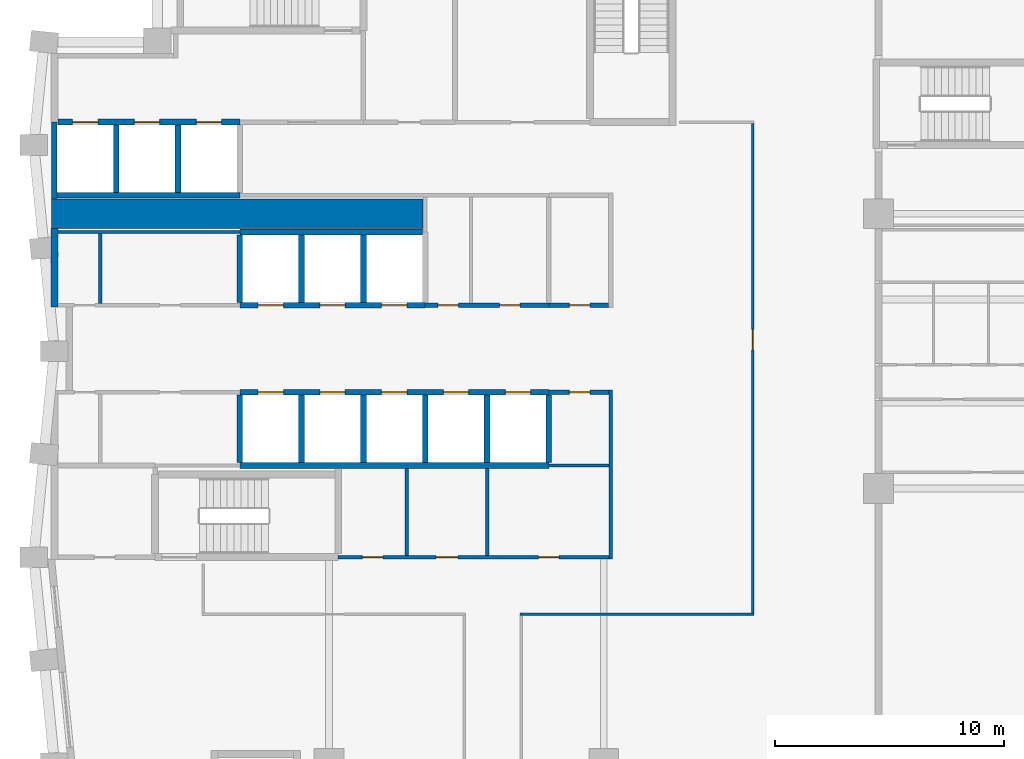
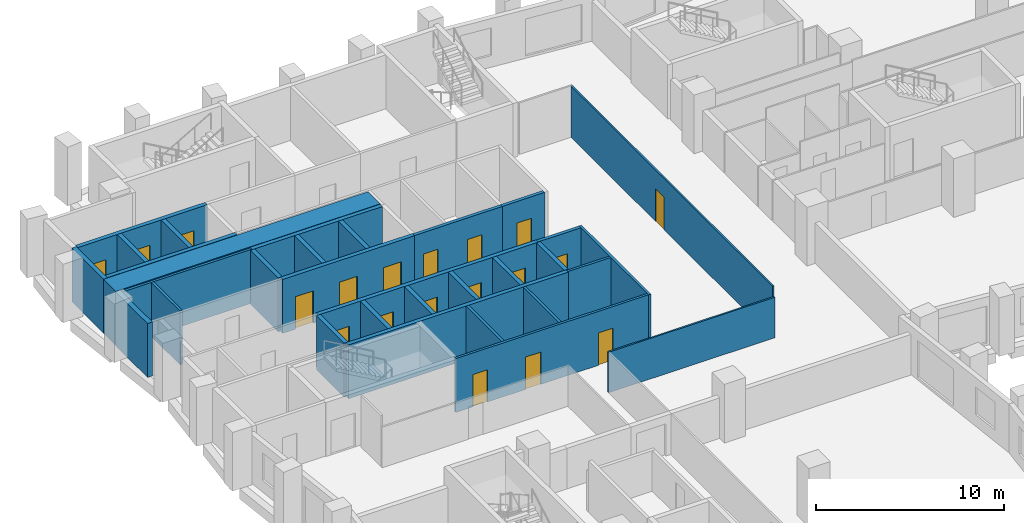
# One storey, part 5 of 11: 32 walls, 19 doors, 19 openings.
"""IFC4 building model written with IfcOpenShell, lengths in metres."""

from ifc_helpers import new_model, si_unit, direction, frame, frame_2d, origin, place, context, subcontext, project, spatial, rectangle, extrude, material, layer, layer_set, type_object, element, fill, save


model = new_model("IFC4")

# Units and contexts
model_context = context("Model", 3, precision=1e-05, world=origin(), true_north=direction((0.0, 1.0)))
body_context = subcontext(model_context, "Body", "Model", "MODEL_VIEW")
ifc_project = project(units=[si_unit("LENGTHUNIT", "METRE"), si_unit("AREAUNIT", "SQUARE_METRE"), si_unit("VOLUMEUNIT", "CUBIC_METRE"), si_unit("PLANEANGLEUNIT", "RADIAN"), si_unit("MASSUNIT", "GRAM", prefix="KILO")], contexts=[model_context])

# Site, building, storey
site_placement = place(None, origin())
site = spatial("IfcSite", under=ifc_project, at=site_placement, CompositionType="ELEMENT")
building_placement = place(site_placement, origin())
building = spatial("IfcBuilding", under=site, at=building_placement, Name="Brondeck Convention Tower", CompositionType="ELEMENT")
storey_placement = place(building_placement, frame((0.0, 0.0, 130.300048828125)))
storey = spatial("IfcBuildingStorey", under=building, at=storey_placement, Name="L31", CompositionType="ELEMENT", Elevation=130.300048828125)

# Wall, openings, doors
ifc_material_1 = material(Name="Concrete C70/85", Category="concrete")
ifc_layer_1 = layer(ifc_material_1, 0.14990234375)
ifc_layer_set_1 = layer_set([ifc_layer_1], Name="Core beam-seat wall 150 Concrete C70/85")
wall_type_1 = type_object("IfcWallType", Name="Core beam-seat wall 150 Concrete C70/85", PredefinedType="SHEAR", material=ifc_layer_set_1)
wall_1_placement = place(storey_placement, frame((12.39990234375, 36.0, 0.0), z_axis=(0.0, 0.0, 1.0), x_axis=(1.0, 0.0, 0.0)))
wall_1 = element("IfcWall", 1, at=wall_1_placement, inside=storey, type_object=wall_type_1, Name="L31 core wall", PredefinedType="SHEAR", context=body_context, shape_type="SweptSolid", body=[
    extrude(rectangle(XDim=11.8251953125, YDim=0.14990234375, at=frame_2d((5.91259765625, 0.0))), origin(), (0.0, 0.0, 1.0), 3.5),
])
opening_1_placement = place(wall_1_placement, frame((1.050048828125, 0.0, 0.0)))
opening_1 = element("IfcOpeningElement", 2, at=opening_1_placement, cuts=wall_1, Name="Opening C18-03", PredefinedType="OPENING", context=body_context, shape_type="SweptSolid", body=[
    extrude(rectangle(XDim=0.89990234375, YDim=2.10009765625, at=frame_2d((0.449951171875, 1.050048828125))), frame((0.0, 0.0849609375, 0.0), z_axis=(0.0, -1.0, 0.0), x_axis=(1.0, 0.0, 0.0)), (0.0, 0.0, 1.0), 0.169921875),
])
opening_2_placement = place(wall_1_placement, frame((4.27490234375, 0.0, 0.0)))
opening_2 = element("IfcOpeningElement", 3, at=opening_2_placement, cuts=wall_1, Name="Opening C18-04", PredefinedType="OPENING", context=body_context, shape_type="SweptSolid", body=[
    extrude(rectangle(XDim=0.949951171875, YDim=2.10009765625, at=frame_2d((0.47509765625, 1.050048828125))), frame((0.0, 0.0849609375, 0.0), z_axis=(0.0, -1.0, 0.0), x_axis=(1.0, 0.0, 0.0)), (0.0, 0.0, 1.0), 0.169921875),
])
opening_3_placement = place(wall_1_placement, frame((8.75, 0.0, 0.0)))
opening_3 = element("IfcOpeningElement", 4, at=opening_3_placement, cuts=wall_1, Name="Opening C18-05", PredefinedType="OPENING", context=body_context, shape_type="SweptSolid", body=[
    extrude(rectangle(XDim=0.89990234375, YDim=2.10009765625, at=frame_2d((0.449951171875, 1.050048828125))), frame((0.0, 0.0849609375, 0.0), z_axis=(0.0, -1.0, 0.0), x_axis=(1.0, 0.0, 0.0)), (0.0, 0.0, 1.0), 0.169921875),
])
ifc_material_2 = material(Name="Steel fire door", Category="steel")
door_type_1 = type_object("IfcDoorType", Name="Room door 900x2100 EI 60", OperationType="NOTDEFINED", PredefinedType="DOOR", material=ifc_material_2)
door_1_placement = place(opening_1_placement, origin())
door_1 = element("IfcDoor", 5, at=door_1_placement, inside=storey, type_object=door_type_1, Name="L31 Room door FR-1", OperationType="SINGLE_SWING_RIGHT", OverallHeight=2.10009765625, OverallWidth=0.89990234375, PredefinedType="DOOR", context=body_context, shape_type="SweptSolid", body=[
    extrude(rectangle(XDim=0.89990234375, YDim=2.10009765625, at=frame_2d((0.449951171875, 1.050048828125))), frame((0.0, 0.02490234375, 0.0), z_axis=(0.0, -1.0, 0.0), x_axis=(1.0, 0.0, 0.0)), (0.0, 0.0, 1.0), 0.050048828125),
])
fill(opening_1, door_1)
door_2_placement = place(opening_3_placement, origin())
door_2 = element("IfcDoor", 6, at=door_2_placement, inside=storey, type_object=door_type_1, Name="L31 Room door FR-3", OperationType="SINGLE_SWING_RIGHT", OverallHeight=2.10009765625, OverallWidth=0.89990234375, PredefinedType="DOOR", context=body_context, shape_type="SweptSolid", body=[
    extrude(rectangle(XDim=0.89990234375, YDim=2.10009765625, at=frame_2d((0.449951171875, 1.050048828125))), frame((0.0, 0.02490234375, 0.0), z_axis=(0.0, -1.0, 0.0), x_axis=(1.0, 0.0, 0.0)), (0.0, 0.0, 1.0), 0.050048828125),
])
fill(opening_3, door_2)
door_type_2 = type_object("IfcDoorType", Name="Room door 950x2100 EI 60", OperationType="NOTDEFINED", PredefinedType="DOOR", material=ifc_material_2)
door_3_placement = place(opening_2_placement, origin())
door_3 = element("IfcDoor", 7, at=door_3_placement, inside=storey, type_object=door_type_2, Name="L31 Room door FR-2", OperationType="SINGLE_SWING_LEFT", OverallHeight=2.10009765625, OverallWidth=0.949951171875, PredefinedType="DOOR", context=body_context, shape_type="SweptSolid", body=[
    extrude(rectangle(XDim=0.949951171875, YDim=2.10009765625, at=frame_2d((0.47509765625, 1.050048828125))), frame((0.0, 0.02490234375, 0.0), z_axis=(0.0, -1.0, 0.0), x_axis=(1.0, 0.0, 0.0)), (0.0, 0.0, 1.0), 0.050048828125),
])
fill(opening_2, door_3)

# Walls
ifc_layer_2 = layer(ifc_material_1, 0.300048828125)
ifc_layer_set_2 = layer_set([ifc_layer_2], Name="Core outer wall 300 Concrete C70/85")
wall_type_2 = type_object("IfcWallType", Name="Core outer wall 300 Concrete C70/85", PredefinedType="SHEAR", material=ifc_layer_set_2)
wall_2_placement = place(storey_placement, frame((0.0, 46.925048828125, 0.0), z_axis=(0.0, 0.0, 1.0), x_axis=(0.0, 1.0, 0.0)))
element("IfcWall", 8, at=wall_2_placement, inside=storey, type_object=wall_type_2, Name="L31 core wall", PredefinedType="SHEAR", context=body_context, shape_type="SweptSolid", body=[
    extrude(rectangle(XDim=3.425048828125, YDim=0.300048828125, at=frame_2d((1.71240234375, 0.0))), origin(), (0.0, 0.0, 1.0), 3.5),
])
ifc_material_3 = material(Name="Fire-rated gypsum board partition")
ifc_layer_3 = layer(ifc_material_3, 0.14990234375)
ifc_layer_set_3 = layer_set([ifc_layer_3], Name="Core partition 150 EI 60")
wall_type_3 = type_object("IfcWallType", Name="Core partition 150 EI 60", PredefinedType="PARTITIONING", material=ifc_layer_set_3)
wall_3_placement = place(storey_placement, frame((21.60009765625, 40.0, 0.0), z_axis=(0.0, 0.0, 1.0), x_axis=(1.0, 0.0, 0.0)))
element("IfcWall", 9, at=wall_3_placement, inside=storey, type_object=wall_type_3, Name="L31 core wall", PredefinedType="PARTITIONING", context=body_context, shape_type="SweptSolid", body=[
    extrude(rectangle(XDim=2.625, YDim=0.14990234375, at=frame_2d((1.3125, 0.0))), origin(), (0.0, 0.0, 1.0), 3.5),
])
wall_4_placement = place(storey_placement, frame((0.14990234375, 50.199951171875, 0.0), z_axis=(0.0, 0.0, 1.0), x_axis=(1.0, 0.0, 0.0)))
element("IfcWall", 10, at=wall_4_placement, inside=storey, type_object=wall_type_3, Name="L31 core wall", PredefinedType="PARTITIONING", context=body_context, shape_type="SweptSolid", body=[
    extrude(rectangle(XDim=7.9501953125, YDim=0.14990234375, at=frame_2d((3.97509765625, 0.0))), origin(), (0.0, 0.0, 1.0), 3.5),
])
wall_5_placement = place(storey_placement, frame((2.0, 47.074951171875, 0.0), z_axis=(0.0, 0.0, 1.0), x_axis=(0.0, 1.0, 0.0)))
element("IfcWall", 11, at=wall_5_placement, inside=storey, type_object=wall_type_3, Name="L31 core wall", PredefinedType="PARTITIONING", context=body_context, shape_type="SweptSolid", body=[
    extrude(rectangle(XDim=3.050048828125, YDim=0.14990234375, at=frame_2d((1.52490234375, 0.0))), origin(), (0.0, 0.0, 1.0), 3.5),
])
for number, where, z_axis, x_axis, name in (
    (12, (15.39990234375, 36.074951171875, 0.0), (0.0, 0.0, 1.0), (0.0, 1.0, 0.0), "L31 core wall"),
    (13, (18.89990234375, 36.074951171875, 0.0), (0.0, 0.0, 1.0), (0.0, 1.0, 0.0), "L31 core wall"),
):
    element("IfcWall", number, at=place(storey_placement, frame(where, z_axis=z_axis, x_axis=x_axis)), inside=storey, type_object=wall_type_3, Name=name, PredefinedType="PARTITIONING", context=body_context, shape_type="SweptSolid", body=[
        extrude(rectangle(XDim=3.800048828125, YDim=0.14990234375, at=frame_2d((1.89990234375, 0.0))), origin(), (0.0, 0.0, 1.0), 3.5),
    ])
wall_6_placement = place(storey_placement, frame((24.300048828125, 35.925048828125, 0.0), z_axis=(0.0, 0.0, 1.0), x_axis=(0.0, 1.0, 0.0)))
element("IfcWall", 14, at=wall_6_placement, inside=storey, type_object=wall_type_3, Name="L31 core wall", PredefinedType="PARTITIONING", context=body_context, shape_type="SweptSolid", body=[
    extrude(rectangle(XDim=7.375, YDim=0.14990234375, at=frame_2d((3.6875, 0.0))), origin(), (0.0, 0.0, 1.0), 3.5),
])
ifc_layer_4 = layer(ifc_material_1, 1.300048828125)
ifc_layer_set_4 = layer_set([ifc_layer_4], Name="Core shear wall 1300 Concrete C70/85")
wall_type_4 = type_object("IfcWallType", Name="Core shear wall 1300 Concrete C70/85", PredefinedType="SHEAR", material=ifc_layer_set_4)
wall_7_placement = place(storey_placement, frame((-0.125, 51.0, 0.0), z_axis=(0.0, 0.0, 1.0), x_axis=(1.0, 0.0, 0.0)))
element("IfcWall", 15, at=wall_7_placement, inside=storey, type_object=wall_type_4, Name="L31 core wall", PredefinedType="SHEAR", context=body_context, shape_type="SweptSolid", body=[
    extrude(rectangle(XDim=16.22509765625, YDim=1.300048828125, at=frame_2d((8.112548828125, 0.0))), origin(), (0.0, 0.0, 1.0), 3.5),
])

# Wall, opening, door
ifc_layer_5 = layer(ifc_material_3, 0.199951171875)
ifc_layer_set_5 = layer_set([ifc_layer_5], Name="Lift lobby wall 200 EI 60")
wall_type_5 = type_object("IfcWallType", Name="Lift lobby wall 200 EI 60", PredefinedType="PARTITIONING", material=ifc_layer_set_5)
wall_8_placement = place(storey_placement, frame((21.60009765625, 43.199951171875, 0.0), z_axis=(0.0, 0.0, 1.0), x_axis=(1.0, 0.0, 0.0)))
wall_8 = element("IfcWall", 16, at=wall_8_placement, inside=storey, type_object=wall_type_5, Name="L31 core wall", PredefinedType="PARTITIONING", context=body_context, shape_type="SweptSolid", body=[
    extrude(rectangle(XDim=2.625, YDim=0.199951171875, at=frame_2d((1.3125, 0.0))), origin(), (0.0, 0.0, 1.0), 3.5),
])
opening_4_placement = place(wall_8_placement, frame((0.89990234375, 0.0, 0.0)))
opening_4 = element("IfcOpeningElement", 17, at=opening_4_placement, cuts=wall_8, Name="Opening C18-13", PredefinedType="OPENING", context=body_context, shape_type="SweptSolid", body=[
    extrude(rectangle(XDim=0.89990234375, YDim=2.10009765625, at=frame_2d((0.449951171875, 1.050048828125))), frame((0.0, 0.10986328125, 0.0), z_axis=(0.0, -1.0, 0.0), x_axis=(1.0, 0.0, 0.0)), (0.0, 0.0, 1.0), 0.219970703125),
])
door_4_placement = place(opening_4_placement, origin())
door_4 = element("IfcDoor", 18, at=door_4_placement, inside=storey, type_object=door_type_1, Name="L31 Room door FZ-S-21.6-1", OperationType="SINGLE_SWING_RIGHT", OverallHeight=2.10009765625, OverallWidth=0.89990234375, PredefinedType="DOOR", context=body_context, shape_type="SweptSolid", body=[
    extrude(rectangle(XDim=0.89990234375, YDim=2.10009765625, at=frame_2d((0.449951171875, 1.050048828125))), frame((0.0, 0.02490234375, 0.0), z_axis=(0.0, -1.0, 0.0), x_axis=(1.0, 0.0, 0.0)), (0.0, 0.0, 1.0), 0.050048828125),
])
fill(opening_4, door_4)

# Wall, openings, doors
wall_9_placement = place(storey_placement, frame((16.199951171875, 47.0, 0.0), z_axis=(0.0, 0.0, 1.0), x_axis=(1.0, 0.0, 0.0)))
wall_9 = element("IfcWall", 19, at=wall_9_placement, inside=storey, type_object=wall_type_5, Name="L31 core wall", PredefinedType="PARTITIONING", context=body_context, shape_type="SweptSolid", body=[
    extrude(rectangle(XDim=5.400146484375, YDim=0.199951171875, at=frame_2d((2.7001953125, 0.0))), origin(), (0.0, 0.0, 1.0), 3.5),
])
opening_5_placement = place(wall_9_placement, frame((0.550048828125, 0.0, 0.0)))
opening_5 = element("IfcOpeningElement", 20, at=opening_5_placement, cuts=wall_9, Name="Opening C18-09", PredefinedType="OPENING", context=body_context, shape_type="SweptSolid", body=[
    extrude(rectangle(XDim=0.89990234375, YDim=2.10009765625, at=frame_2d((0.449951171875, 1.050048828125))), frame((0.0, 0.10986328125, 0.0), z_axis=(0.0, -1.0, 0.0), x_axis=(1.0, 0.0, 0.0)), (0.0, 0.0, 1.0), 0.219970703125),
])
opening_6_placement = place(wall_9_placement, frame((3.25, 0.0, 0.0)))
opening_6 = element("IfcOpeningElement", 21, at=opening_6_placement, cuts=wall_9, Name="Opening C18-10", PredefinedType="OPENING", context=body_context, shape_type="SweptSolid", body=[
    extrude(rectangle(XDim=0.89990234375, YDim=2.10009765625, at=frame_2d((0.449951171875, 1.050048828125))), frame((0.0, 0.10986328125, 0.0), z_axis=(0.0, -1.0, 0.0), x_axis=(1.0, 0.0, 0.0)), (0.0, 0.0, 1.0), 0.219970703125),
])
door_5_placement = place(opening_5_placement, origin())
door_5 = element("IfcDoor", 22, at=door_5_placement, inside=storey, type_object=door_type_1, Name="L31 Room door FZ-N-16.2-1", OperationType="SINGLE_SWING_LEFT", OverallHeight=2.10009765625, OverallWidth=0.89990234375, PredefinedType="DOOR", context=body_context, shape_type="SweptSolid", body=[
    extrude(rectangle(XDim=0.89990234375, YDim=2.10009765625, at=frame_2d((0.449951171875, 1.050048828125))), frame((0.0, 0.02490234375, 0.0), z_axis=(0.0, -1.0, 0.0), x_axis=(1.0, 0.0, 0.0)), (0.0, 0.0, 1.0), 0.050048828125),
])
fill(opening_5, door_5)
door_6_placement = place(opening_6_placement, origin())
door_6 = element("IfcDoor", 23, at=door_6_placement, inside=storey, type_object=door_type_1, Name="L31 Room door FZ-N-16.2-2", OperationType="SINGLE_SWING_RIGHT", OverallHeight=2.10009765625, OverallWidth=0.89990234375, PredefinedType="DOOR", context=body_context, shape_type="SweptSolid", body=[
    extrude(rectangle(XDim=0.89990234375, YDim=2.10009765625, at=frame_2d((0.449951171875, 1.050048828125))), frame((0.0, 0.02490234375, 0.0), z_axis=(0.0, -1.0, 0.0), x_axis=(1.0, 0.0, 0.0)), (0.0, 0.0, 1.0), 0.050048828125),
])
fill(opening_6, door_6)

# Wall
ifc_layer_6 = layer(ifc_material_1, 0.25)
ifc_layer_set_6 = layer_set([ifc_layer_6], Name="Lift shaft wall 250 Concrete C70/85")
wall_type_6 = type_object("IfcWallType", Name="Lift shaft wall 250 Concrete C70/85", PredefinedType="SHEAR", material=ifc_layer_set_6)
wall_10_placement = place(storey_placement, frame((8.10009765625, 40.0, 0.0), z_axis=(0.0, 0.0, 1.0), x_axis=(1.0, 0.0, 0.0)))
element("IfcWall", 24, at=wall_10_placement, inside=storey, type_object=wall_type_6, Name="L31 core wall", PredefinedType="SHEAR", context=body_context, shape_type="SweptSolid", body=[
    extrude(rectangle(XDim=13.5, YDim=0.25, at=frame_2d((6.75, 0.0))), origin(), (0.0, 0.0, 1.0), 3.5),
])

# Wall, openings, doors
wall_11_placement = place(storey_placement, frame((8.10009765625, 43.199951171875, 0.0), z_axis=(0.0, 0.0, 1.0), x_axis=(1.0, 0.0, 0.0)))
wall_11 = element("IfcWall", 25, at=wall_11_placement, inside=storey, type_object=wall_type_6, Name="L31 core wall", PredefinedType="SHEAR", context=body_context, shape_type="SweptSolid", body=[
    extrude(rectangle(XDim=13.5, YDim=0.25, at=frame_2d((6.75, 0.0))), origin(), (0.0, 0.0, 1.0), 3.5),
])
opening_7_placement = place(wall_11_placement, frame((0.800048828125, 0.0, 0.0)))
opening_7 = element("IfcOpeningElement", 26, at=opening_7_placement, cuts=wall_11, Name="Opening C18-26", PredefinedType="OPENING", context=body_context, shape_type="SweptSolid", body=[
    extrude(rectangle(XDim=1.10009765625, YDim=2.10009765625, at=frame_2d((0.550048828125, 1.050048828125))), frame((0.0, 0.135009765625, 0.0), z_axis=(0.0, -1.0, 0.0), x_axis=(1.0, 0.0, 0.0)), (0.0, 0.0, 1.0), 0.27001953125),
])
opening_8_placement = place(wall_11_placement, frame((3.5, 0.0, 0.0)))
opening_8 = element("IfcOpeningElement", 27, at=opening_8_placement, cuts=wall_11, Name="Opening C18-27", PredefinedType="OPENING", context=body_context, shape_type="SweptSolid", body=[
    extrude(rectangle(XDim=1.10009765625, YDim=2.10009765625, at=frame_2d((0.550048828125, 1.050048828125))), frame((0.0, 0.135009765625, 0.0), z_axis=(0.0, -1.0, 0.0), x_axis=(1.0, 0.0, 0.0)), (0.0, 0.0, 1.0), 0.27001953125),
])
opening_9_placement = place(wall_11_placement, frame((6.199951171875, 0.0, 0.0)))
opening_9 = element("IfcOpeningElement", 28, at=opening_9_placement, cuts=wall_11, Name="Opening C18-28", PredefinedType="OPENING", context=body_context, shape_type="SweptSolid", body=[
    extrude(rectangle(XDim=1.10009765625, YDim=2.10009765625, at=frame_2d((0.550048828125, 1.050048828125))), frame((0.0, 0.135009765625, 0.0), z_axis=(0.0, -1.0, 0.0), x_axis=(1.0, 0.0, 0.0)), (0.0, 0.0, 1.0), 0.27001953125),
])
opening_10_placement = place(wall_11_placement, frame((8.89990234375, 0.0, 0.0)))
opening_10 = element("IfcOpeningElement", 29, at=opening_10_placement, cuts=wall_11, Name="Opening C18-32", PredefinedType="OPENING", context=body_context, shape_type="SweptSolid", body=[
    extrude(rectangle(XDim=1.10009765625, YDim=2.10009765625, at=frame_2d((0.550048828125, 1.050048828125))), frame((0.0, 0.135009765625, 0.0), z_axis=(0.0, -1.0, 0.0), x_axis=(1.0, 0.0, 0.0)), (0.0, 0.0, 1.0), 0.27001953125),
])
opening_11_placement = place(wall_11_placement, frame((11.60009765625, 0.0, 0.0)))
opening_11 = element("IfcOpeningElement", 30, at=opening_11_placement, cuts=wall_11, Name="Opening C18-33", PredefinedType="OPENING", context=body_context, shape_type="SweptSolid", body=[
    extrude(rectangle(XDim=1.10009765625, YDim=2.10009765625, at=frame_2d((0.550048828125, 1.050048828125))), frame((0.0, 0.135009765625, 0.0), z_axis=(0.0, -1.0, 0.0), x_axis=(1.0, 0.0, 0.0)), (0.0, 0.0, 1.0), 0.27001953125),
])
ifc_material_4 = material(Name="Stainless steel lift door", Category="steel")
door_type_3 = type_object("IfcDoorType", Name="Lift landing door 1100x2100 EI 180", OperationType="DOUBLE_DOOR_SLIDING", PredefinedType="DOOR", material=ifc_material_4)
door_7_placement = place(opening_7_placement, origin())
door_7 = element("IfcDoor", 31, at=door_7_placement, inside=storey, type_object=door_type_3, Name="L31 Lift landing door LR1", OperationType="DOUBLE_DOOR_SLIDING", OverallHeight=2.10009765625, OverallWidth=1.10009765625, PredefinedType="DOOR", context=body_context, shape_type="SweptSolid", body=[
    extrude(rectangle(XDim=1.10009765625, YDim=2.10009765625, at=frame_2d((0.550048828125, 1.050048828125))), frame((0.0, 0.02490234375, 0.0), z_axis=(0.0, -1.0, 0.0), x_axis=(1.0, 0.0, 0.0)), (0.0, 0.0, 1.0), 0.050048828125),
])
fill(opening_7, door_7)
door_8_placement = place(opening_8_placement, origin())
door_8 = element("IfcDoor", 32, at=door_8_placement, inside=storey, type_object=door_type_3, Name="L31 Lift landing door LR2", OperationType="DOUBLE_DOOR_SLIDING", OverallHeight=2.10009765625, OverallWidth=1.10009765625, PredefinedType="DOOR", context=body_context, shape_type="SweptSolid", body=[
    extrude(rectangle(XDim=1.10009765625, YDim=2.10009765625, at=frame_2d((0.550048828125, 1.050048828125))), frame((0.0, 0.02490234375, 0.0), z_axis=(0.0, -1.0, 0.0), x_axis=(1.0, 0.0, 0.0)), (0.0, 0.0, 1.0), 0.050048828125),
])
fill(opening_8, door_8)
door_9_placement = place(opening_9_placement, origin())
door_9 = element("IfcDoor", 33, at=door_9_placement, inside=storey, type_object=door_type_3, Name="L31 Lift landing door LR3", OperationType="DOUBLE_DOOR_SLIDING", OverallHeight=2.10009765625, OverallWidth=1.10009765625, PredefinedType="DOOR", context=body_context, shape_type="SweptSolid", body=[
    extrude(rectangle(XDim=1.10009765625, YDim=2.10009765625, at=frame_2d((0.550048828125, 1.050048828125))), frame((0.0, 0.02490234375, 0.0), z_axis=(0.0, -1.0, 0.0), x_axis=(1.0, 0.0, 0.0)), (0.0, 0.0, 1.0), 0.050048828125),
])
fill(opening_9, door_9)
door_10_placement = place(opening_10_placement, origin())
door_10 = element("IfcDoor", 34, at=door_10_placement, inside=storey, type_object=door_type_3, Name="L31 Lift landing door SH1", OperationType="DOUBLE_DOOR_SLIDING", OverallHeight=2.10009765625, OverallWidth=1.10009765625, PredefinedType="DOOR", context=body_context, shape_type="SweptSolid", body=[
    extrude(rectangle(XDim=1.10009765625, YDim=2.10009765625, at=frame_2d((0.550048828125, 1.050048828125))), frame((0.0, 0.02490234375, 0.0), z_axis=(0.0, -1.0, 0.0), x_axis=(1.0, 0.0, 0.0)), (0.0, 0.0, 1.0), 0.050048828125),
])
fill(opening_10, door_10)
door_11_placement = place(opening_11_placement, origin())
door_11 = element("IfcDoor", 35, at=door_11_placement, inside=storey, type_object=door_type_3, Name="L31 Lift landing door SH2", OperationType="DOUBLE_DOOR_SLIDING", OverallHeight=2.10009765625, OverallWidth=1.10009765625, PredefinedType="DOOR", context=body_context, shape_type="SweptSolid", body=[
    extrude(rectangle(XDim=1.10009765625, YDim=2.10009765625, at=frame_2d((0.550048828125, 1.050048828125))), frame((0.0, 0.02490234375, 0.0), z_axis=(0.0, -1.0, 0.0), x_axis=(1.0, 0.0, 0.0)), (0.0, 0.0, 1.0), 0.050048828125),
])
fill(opening_11, door_11)

wall_12_placement = place(storey_placement, frame((8.10009765625, 47.0, 0.0), z_axis=(0.0, 0.0, 1.0), x_axis=(1.0, 0.0, 0.0)))
wall_12 = element("IfcWall", 36, at=wall_12_placement, inside=storey, type_object=wall_type_6, Name="L31 core wall", PredefinedType="SHEAR", context=body_context, shape_type="SweptSolid", body=[
    extrude(rectangle(XDim=8.099853515625, YDim=0.25, at=frame_2d((4.0498046875, 0.0))), origin(), (0.0, 0.0, 1.0), 3.5),
])
opening_12_placement = place(wall_12_placement, frame((0.800048828125, 0.0, 0.0)))
opening_12 = element("IfcOpeningElement", 37, at=opening_12_placement, cuts=wall_12, Name="Opening C18-29", PredefinedType="OPENING", context=body_context, shape_type="SweptSolid", body=[
    extrude(rectangle(XDim=1.10009765625, YDim=2.10009765625, at=frame_2d((0.550048828125, 1.050048828125))), frame((0.0, 0.135009765625, 0.0), z_axis=(0.0, -1.0, 0.0), x_axis=(1.0, 0.0, 0.0)), (0.0, 0.0, 1.0), 0.27001953125),
])
opening_13_placement = place(wall_12_placement, frame((3.5, 0.0, 0.0)))
opening_13 = element("IfcOpeningElement", 38, at=opening_13_placement, cuts=wall_12, Name="Opening C18-30", PredefinedType="OPENING", context=body_context, shape_type="SweptSolid", body=[
    extrude(rectangle(XDim=1.10009765625, YDim=2.10009765625, at=frame_2d((0.550048828125, 1.050048828125))), frame((0.0, 0.135009765625, 0.0), z_axis=(0.0, -1.0, 0.0), x_axis=(1.0, 0.0, 0.0)), (0.0, 0.0, 1.0), 0.27001953125),
])
opening_14_placement = place(wall_12_placement, frame((6.199951171875, 0.0, 0.0)))
opening_14 = element("IfcOpeningElement", 39, at=opening_14_placement, cuts=wall_12, Name="Opening C18-31", PredefinedType="OPENING", context=body_context, shape_type="SweptSolid", body=[
    extrude(rectangle(XDim=1.10009765625, YDim=2.10009765625, at=frame_2d((0.550048828125, 1.050048828125))), frame((0.0, 0.135009765625, 0.0), z_axis=(0.0, -1.0, 0.0), x_axis=(1.0, 0.0, 0.0)), (0.0, 0.0, 1.0), 0.27001953125),
])
door_12_placement = place(opening_12_placement, origin())
door_12 = element("IfcDoor", 40, at=door_12_placement, inside=storey, type_object=door_type_3, Name="L31 Lift landing door LR4", OperationType="DOUBLE_DOOR_SLIDING", OverallHeight=2.10009765625, OverallWidth=1.10009765625, PredefinedType="DOOR", context=body_context, shape_type="SweptSolid", body=[
    extrude(rectangle(XDim=1.10009765625, YDim=2.10009765625, at=frame_2d((0.550048828125, 1.050048828125))), frame((0.0, 0.02490234375, 0.0), z_axis=(0.0, -1.0, 0.0), x_axis=(1.0, 0.0, 0.0)), (0.0, 0.0, 1.0), 0.050048828125),
])
fill(opening_12, door_12)
door_13_placement = place(opening_13_placement, origin())
door_13 = element("IfcDoor", 41, at=door_13_placement, inside=storey, type_object=door_type_3, Name="L31 Lift landing door LR5", OperationType="DOUBLE_DOOR_SLIDING", OverallHeight=2.10009765625, OverallWidth=1.10009765625, PredefinedType="DOOR", context=body_context, shape_type="SweptSolid", body=[
    extrude(rectangle(XDim=1.10009765625, YDim=2.10009765625, at=frame_2d((0.550048828125, 1.050048828125))), frame((0.0, 0.02490234375, 0.0), z_axis=(0.0, -1.0, 0.0), x_axis=(1.0, 0.0, 0.0)), (0.0, 0.0, 1.0), 0.050048828125),
])
fill(opening_13, door_13)
door_14_placement = place(opening_14_placement, origin())
door_14 = element("IfcDoor", 42, at=door_14_placement, inside=storey, type_object=door_type_3, Name="L31 Lift landing door LR6", OperationType="DOUBLE_DOOR_SLIDING", OverallHeight=2.10009765625, OverallWidth=1.10009765625, PredefinedType="DOOR", context=body_context, shape_type="SweptSolid", body=[
    extrude(rectangle(XDim=1.10009765625, YDim=2.10009765625, at=frame_2d((0.550048828125, 1.050048828125))), frame((0.0, 0.02490234375, 0.0), z_axis=(0.0, -1.0, 0.0), x_axis=(1.0, 0.0, 0.0)), (0.0, 0.0, 1.0), 0.050048828125),
])
fill(opening_14, door_14)

# Walls
wall_13_placement = place(storey_placement, frame((8.10009765625, 50.199951171875, 0.0), z_axis=(0.0, 0.0, 1.0), x_axis=(1.0, 0.0, 0.0)))
element("IfcWall", 43, at=wall_13_placement, inside=storey, type_object=wall_type_6, Name="L31 core wall", PredefinedType="SHEAR", context=body_context, shape_type="SweptSolid", body=[
    extrude(rectangle(XDim=7.974853515625, YDim=0.25, at=frame_2d((3.9873046875, 0.0))), origin(), (0.0, 0.0, 1.0), 3.5),
])
wall_14_placement = place(storey_placement, frame((0.125, 51.800048828125, 0.0), z_axis=(0.0, 0.0, 1.0), x_axis=(1.0, 0.0, 0.0)))
element("IfcWall", 44, at=wall_14_placement, inside=storey, type_object=wall_type_6, Name="L31 core wall", PredefinedType="SHEAR", context=body_context, shape_type="SweptSolid", body=[
    extrude(rectangle(XDim=7.97509765625, YDim=0.25, at=frame_2d((3.987548828125, 0.0))), origin(), (0.0, 0.0, 1.0), 3.5),
])

# Wall, openings, doors
wall_15_placement = place(storey_placement, frame((0.14990234375, 55.0, 0.0), z_axis=(0.0, 0.0, 1.0), x_axis=(1.0, 0.0, 0.0)))
wall_15 = element("IfcWall", 45, at=wall_15_placement, inside=storey, type_object=wall_type_6, Name="L31 core wall", PredefinedType="SHEAR", context=body_context, shape_type="SweptSolid", body=[
    extrude(rectangle(XDim=7.9501953125, YDim=0.25, at=frame_2d((3.97509765625, 0.0))), origin(), (0.0, 0.0, 1.0), 3.5),
])
opening_15_placement = place(wall_15_placement, frame((0.64990234375, 0.0, 0.0)))
opening_15 = element("IfcOpeningElement", 46, at=opening_15_placement, cuts=wall_15, Name="Opening C18-23", PredefinedType="OPENING", context=body_context, shape_type="SweptSolid", body=[
    extrude(rectangle(XDim=1.10009765625, YDim=2.10009765625, at=frame_2d((0.550048828125, 1.050048828125))), frame((0.0, 0.135009765625, 0.0), z_axis=(0.0, -1.0, 0.0), x_axis=(1.0, 0.0, 0.0)), (0.0, 0.0, 1.0), 0.27001953125),
])
opening_16_placement = place(wall_15_placement, frame((3.35009765625, 0.0, 0.0)))
opening_16 = element("IfcOpeningElement", 47, at=opening_16_placement, cuts=wall_15, Name="Opening C18-24", PredefinedType="OPENING", context=body_context, shape_type="SweptSolid", body=[
    extrude(rectangle(XDim=1.10009765625, YDim=2.10009765625, at=frame_2d((0.550048828125, 1.050048828125))), frame((0.0, 0.135009765625, 0.0), z_axis=(0.0, -1.0, 0.0), x_axis=(1.0, 0.0, 0.0)), (0.0, 0.0, 1.0), 0.27001953125),
])
opening_17_placement = place(wall_15_placement, frame((6.050048828125, 0.0, 0.0)))
opening_17 = element("IfcOpeningElement", 48, at=opening_17_placement, cuts=wall_15, Name="Opening C18-25", PredefinedType="OPENING", context=body_context, shape_type="SweptSolid", body=[
    extrude(rectangle(XDim=1.10009765625, YDim=2.10009765625, at=frame_2d((0.550048828125, 1.050048828125))), frame((0.0, 0.135009765625, 0.0), z_axis=(0.0, -1.0, 0.0), x_axis=(1.0, 0.0, 0.0)), (0.0, 0.0, 1.0), 0.27001953125),
])
door_15_placement = place(opening_15_placement, origin())
door_15 = element("IfcDoor", 49, at=door_15_placement, inside=storey, type_object=door_type_3, Name="L31 Lift landing door FF1", OperationType="DOUBLE_DOOR_SLIDING", OverallHeight=2.10009765625, OverallWidth=1.10009765625, PredefinedType="DOOR", context=body_context, shape_type="SweptSolid", body=[
    extrude(rectangle(XDim=1.10009765625, YDim=2.10009765625, at=frame_2d((0.550048828125, 1.050048828125))), frame((0.0, 0.02490234375, 0.0), z_axis=(0.0, -1.0, 0.0), x_axis=(1.0, 0.0, 0.0)), (0.0, 0.0, 1.0), 0.050048828125),
])
fill(opening_15, door_15)
door_16_placement = place(opening_16_placement, origin())
door_16 = element("IfcDoor", 50, at=door_16_placement, inside=storey, type_object=door_type_3, Name="L31 Lift landing door FF2", OperationType="DOUBLE_DOOR_SLIDING", OverallHeight=2.10009765625, OverallWidth=1.10009765625, PredefinedType="DOOR", context=body_context, shape_type="SweptSolid", body=[
    extrude(rectangle(XDim=1.10009765625, YDim=2.10009765625, at=frame_2d((0.550048828125, 1.050048828125))), frame((0.0, 0.02490234375, 0.0), z_axis=(0.0, -1.0, 0.0), x_axis=(1.0, 0.0, 0.0)), (0.0, 0.0, 1.0), 0.050048828125),
])
fill(opening_16, door_16)
door_17_placement = place(opening_17_placement, origin())
door_17 = element("IfcDoor", 51, at=door_17_placement, inside=storey, type_object=door_type_3, Name="L31 Lift landing door FF3", OperationType="DOUBLE_DOOR_SLIDING", OverallHeight=2.10009765625, OverallWidth=1.10009765625, PredefinedType="DOOR", context=body_context, shape_type="SweptSolid", body=[
    extrude(rectangle(XDim=1.10009765625, YDim=2.10009765625, at=frame_2d((0.550048828125, 1.050048828125))), frame((0.0, 0.02490234375, 0.0), z_axis=(0.0, -1.0, 0.0), x_axis=(1.0, 0.0, 0.0)), (0.0, 0.0, 1.0), 0.050048828125),
])
fill(opening_17, door_17)

# Walls
wall_16_placement = place(storey_placement, frame((0.0, 51.64990234375, 0.0), z_axis=(0.0, 0.0, 1.0), x_axis=(0.0, 1.0, 0.0)))
element("IfcWall", 52, at=wall_16_placement, inside=storey, type_object=wall_type_6, Name="L31 core wall", PredefinedType="SHEAR", context=body_context, shape_type="SweptSolid", body=[
    extrude(rectangle(XDim=3.35009765625, YDim=0.25, at=frame_2d((1.675048828125, 0.0))), origin(), (0.0, 0.0, 1.0), 3.5),
])
for number, where, z_axis, x_axis, name in (
    (53, (2.699951171875, 51.925048828125, 0.0), (0.0, 0.0, 1.0), (0.0, 1.0, 0.0), "L31 core wall"),
    (54, (5.39990234375, 51.925048828125, 0.0), (0.0, 0.0, 1.0), (0.0, 1.0, 0.0), "L31 core wall"),
    (55, (8.10009765625, 40.125, 0.0), (0.0, 0.0, 1.0), (0.0, 1.0, 0.0), "L31 core wall"),
    (56, (8.10009765625, 47.125, 0.0), (0.0, 0.0, 1.0), (0.0, 1.0, 0.0), "L31 core wall"),
    (57, (10.800048828125, 40.125, 0.0), (0.0, 0.0, 1.0), (0.0, 1.0, 0.0), "L31 core wall"),
    (58, (10.800048828125, 47.125, 0.0), (0.0, 0.0, 1.0), (0.0, 1.0, 0.0), "L31 core wall"),
    (59, (13.5, 40.125, 0.0), (0.0, 0.0, 1.0), (0.0, 1.0, 0.0), "L31 core wall"),
    (60, (13.5, 47.125, 0.0), (0.0, 0.0, 1.0), (0.0, 1.0, 0.0), "L31 core wall"),
    (61, (16.199951171875, 40.125, 0.0), (0.0, 0.0, 1.0), (0.0, 1.0, 0.0), "L31 core wall"),
    (62, (18.89990234375, 40.125, 0.0), (0.0, 0.0, 1.0), (0.0, 1.0, 0.0), "L31 core wall"),
    (63, (21.60009765625, 40.125, 0.0), (0.0, 0.0, 1.0), (0.0, 1.0, 0.0), "L31 core wall"),
):
    element("IfcWall", number, at=place(storey_placement, frame(where, z_axis=z_axis, x_axis=x_axis)), inside=storey, type_object=wall_type_6, Name=name, PredefinedType="SHEAR", context=body_context, shape_type="SweptSolid", body=[
        extrude(rectangle(XDim=2.949951171875, YDim=0.25, at=frame_2d((1.47509765625, 0.0))), origin(), (0.0, 0.0, 1.0), 3.5),
    ])

# Wall, opening, door
ifc_layer_7 = layer(ifc_material_3, 0.199951171875)
ifc_layer_set_7 = layer_set([ifc_layer_7], Name="Riser wall 200 EI 120")
wall_type_7 = type_object("IfcWallType", Name="Riser wall 200 EI 120", PredefinedType="PARTITIONING", material=ifc_layer_set_7)
wall_17_placement = place(storey_placement, frame((21.60009765625, 47.0, 0.0), z_axis=(0.0, 0.0, 1.0), x_axis=(1.0, 0.0, 0.0)))
wall_17 = element("IfcWall", 64, at=wall_17_placement, inside=storey, type_object=wall_type_7, Name="L31 core wall", PredefinedType="PARTITIONING", context=body_context, shape_type="SweptSolid", body=[
    extrude(rectangle(XDim=2.599853515625, YDim=0.199951171875, at=frame_2d((1.2998046875, 0.0))), origin(), (0.0, 0.0, 1.0), 3.5),
])
opening_18_placement = place(wall_17_placement, frame((0.89990234375, 0.0, 0.0)))
opening_18 = element("IfcOpeningElement", 65, at=opening_18_placement, cuts=wall_17, Name="Opening C18-02", PredefinedType="OPENING", context=body_context, shape_type="SweptSolid", body=[
    extrude(rectangle(XDim=0.89990234375, YDim=2.10009765625, at=frame_2d((0.449951171875, 1.050048828125))), frame((0.0, 0.10986328125, 0.0), z_axis=(0.0, -1.0, 0.0), x_axis=(1.0, 0.0, 0.0)), (0.0, 0.0, 1.0), 0.219970703125),
])
door_type_4 = type_object("IfcDoorType", Name="Riser door 900x2100 EI 120", OperationType="NOTDEFINED", PredefinedType="DOOR", material=ifc_material_2)
door_18_placement = place(opening_18_placement, origin())
door_18 = element("IfcDoor", 66, at=door_18_placement, inside=storey, type_object=door_type_4, Name="L31 Riser door EN-1", OperationType="SINGLE_SWING_LEFT", OverallHeight=2.10009765625, OverallWidth=0.89990234375, PredefinedType="DOOR", context=body_context, shape_type="SweptSolid", body=[
    extrude(rectangle(XDim=0.89990234375, YDim=2.10009765625, at=frame_2d((0.449951171875, 1.050048828125))), frame((0.0, 0.02490234375, 0.0), z_axis=(0.0, -1.0, 0.0), x_axis=(1.0, 0.0, 0.0)), (0.0, 0.0, 1.0), 0.050048828125),
])
fill(opening_18, door_18)

# Wall
ifc_material_5 = material(Name="Gypsum board partition on steel studs", Category="steel")
ifc_layer_8 = layer(ifc_material_5, 0.10009765625)
ifc_layer_set_8 = layer_set([ifc_layer_8], Name="Room partition 100")
wall_type_8 = type_object("IfcWallType", Name="Room partition 100", PredefinedType="PARTITIONING", material=ifc_layer_set_8)
wall_18_placement = place(storey_placement, frame((30.550048828125, 33.5, 0.0), z_axis=(0.0, 0.0, 1.0), x_axis=(-1.0, 0.0, 0.0)))
element("IfcWall", 67, at=wall_18_placement, inside=storey, type_object=wall_type_8, Name="FLR-L31-W024", PredefinedType="PARTITIONING", context=body_context, shape_type="SweptSolid", body=[
    extrude(rectangle(XDim=10.199951171875, YDim=0.10009765625, at=frame_2d((5.10009765625, 0.0))), origin(), (0.0, 0.0, 1.0), 2.6298828125),
])

# Wall, opening, door
wall_19_placement = place(storey_placement, frame((30.5, 54.949951171875, 0.0), z_axis=(0.0, 0.0, 1.0), x_axis=(0.0, -1.0, 0.0)))
wall_19 = element("IfcWall", 68, at=wall_19_placement, inside=storey, type_object=wall_type_8, Name="FLR-L31-W058", PredefinedType="PARTITIONING", context=body_context, shape_type="SweptSolid", body=[
    extrude(rectangle(XDim=21.39990234375, YDim=0.10009765625, at=frame_2d((10.699951171875, 0.0))), origin(), (0.0, 0.0, 1.0), 3.329833984375),
])
opening_19_placement = place(wall_19_placement, frame((9.0, 0.0, 0.0)))
opening_19 = element("IfcOpeningElement", 69, at=opening_19_placement, cuts=wall_19, Name="Opening OF-E-017", PredefinedType="OPENING", context=body_context, shape_type="SweptSolid", body=[
    extrude(rectangle(XDim=0.89990234375, YDim=2.10009765625, at=frame_2d((0.449951171875, 1.050048828125))), frame((0.0, 0.06005859375, 0.0), z_axis=(0.0, -1.0, 0.0), x_axis=(1.0, 0.0, 0.0)), (0.0, 0.0, 1.0), 0.1201171875),
])
ifc_material_6 = material(Name="Solid timber door leaf", Category="wood")
door_type_5 = type_object("IfcDoorType", Name="Single door 900", OperationType="NOTDEFINED", PredefinedType="DOOR", material=ifc_material_6)
door_19_placement = place(opening_19_placement, origin())
door_19 = element("IfcDoor", 70, at=door_19_placement, inside=storey, type_object=door_type_5, Name="Door OF-E-017", OperationType="SINGLE_SWING_LEFT", OverallHeight=2.10009765625, OverallWidth=0.89990234375, PredefinedType="DOOR", context=body_context, shape_type="SweptSolid", body=[
    extrude(rectangle(XDim=0.89990234375, YDim=2.10009765625, at=frame_2d((0.449951171875, 1.050048828125))), frame((0.0, 0.02490234375, 0.0), z_axis=(0.0, -1.0, 0.0), x_axis=(1.0, 0.0, 0.0)), (0.0, 0.0, 1.0), 0.050048828125),
])
fill(opening_19, door_19)

save(model, "model.ifc")
